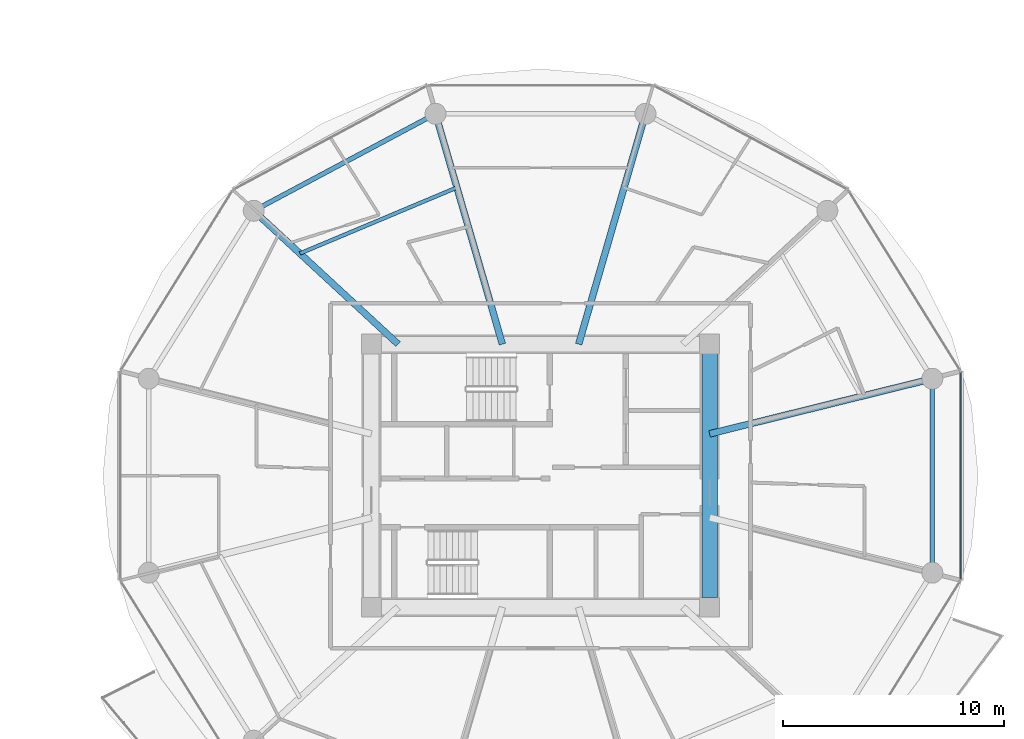
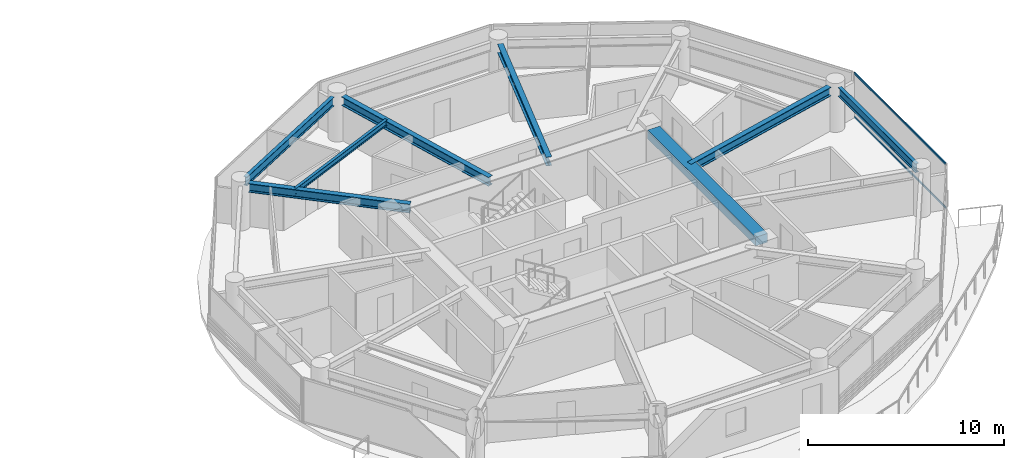
# One storey, part 12 of 25: 8 beams, 2 members, 1 element without a shape of its own.
"""IFC4 building model written with IfcOpenShell, lengths in metres."""

from ifc_helpers import new_model, si_unit, direction, frame, origin, origin_2d, place, context, subcontext, project, spatial, rectangle, i_section, extrude, source, transform, mapped, material, layer, layer_set, material_profile, profile_set, type_object, type_shapes, element, aggregate, save


model = new_model("IFC4")

# Units and contexts
model_context = context("Model", 3, precision=1e-05, world=origin(), true_north=direction((0.0, 1.0)))
body_context = subcontext(model_context, "Body", "Model", "MODEL_VIEW")
ifc_project = project(units=[si_unit("LENGTHUNIT", "METRE"), si_unit("AREAUNIT", "SQUARE_METRE"), si_unit("VOLUMEUNIT", "CUBIC_METRE"), si_unit("PLANEANGLEUNIT", "RADIAN"), si_unit("MASSUNIT", "GRAM", prefix="KILO")], contexts=[model_context])

# Site, building, storey
site_placement = place(None, origin())
site = spatial("IfcSite", under=ifc_project, at=site_placement, CompositionType="ELEMENT")
building_placement = place(site_placement, origin())
building = spatial("IfcBuilding", under=site, at=building_placement, Name="Norrkilde Senior Care Towers", CompositionType="ELEMENT")
storey_placement = place(building_placement, frame((0.0, 0.0, 27.699951171875)))
storey = spatial("IfcBuildingStorey", under=building, at=storey_placement, Name="L07", CompositionType="ELEMENT", Elevation=27.699951171875)

# Beams
ifc_material_1 = material(Name="Concrete C60/75", Category="concrete")
ifc_material_profile_1 = material_profile(ifc_material_1, rectangle(XDim=0.699951171875, YDim=0.550048828125, at=origin_2d()), Name="RC BM 700x550")
ifc_profile_set_1 = profile_set([ifc_material_profile_1], Name="Concrete C60/75")
beam_type_1 = type_object("IfcBeamType", Name="Core Portal Coupling Beam 700x550", PredefinedType="USERDEFINED", material=ifc_profile_set_1)
shared_shape_1 = source(origin(), body_context, "Body", "SweptSolid", [
    extrude(rectangle(XDim=0.699951171875, YDim=0.550048828125, at=origin_2d()), origin(), (0.0, 0.0, 1.0), 11.0400390625),
])
type_shapes(beam_type_1, [shared_shape_1])
beam_1_placement = place(storey_placement, frame((35.64990234375, -5.52001953125, 2.51513671875), z_axis=(0.0, 1.0, 0.0), x_axis=(-1.0, 0.0, 0.0)))
element("IfcBeam", 1, at=beam_1_placement, inside=storey, type_object=beam_type_1, Name="L07 Core E E Coupling Girder", ObjectType="GIRDER", PredefinedType="USERDEFINED", context=body_context, shape_type="MappedRepresentation", body=[
    mapped(shared_shape_1, transform((0.0, 0.0, 0.0), x_axis=(1.0, 0.0, 0.0), y_axis=(0.0, 1.0, 0.0), z_axis=(0.0, 0.0, 1.0), scale=1.0)),
])
ifc_material_2 = material(Name="Steel S355", Category="steel")
ifc_material_profile_2 = material_profile(ifc_material_2, i_section(OverallWidth=0.300048828125, OverallDepth=0.550048828125, WebThickness=0.014892578125, FlangeThickness=0.029052734375, FilletRadius=0.027099609375, at=origin_2d()), Name="HEB 550")
ifc_profile_set_2 = profile_set([ifc_material_profile_2], Name="Steel S355")
beam_type_2 = type_object("IfcBeamType", Name="Radial Floor Beam Z1 HEB550", PredefinedType="BEAM", material=ifc_profile_set_2)
shared_shape_2 = source(origin(), body_context, "Body", "SweptSolid", [
    extrude(i_section(OverallWidth=0.300048828125, OverallDepth=0.550048828125, WebThickness=0.014892578125, FlangeThickness=0.029052734375, FilletRadius=0.027099609375, at=origin_2d()), origin(), (0.0, 0.0, 1.0), 9.94384765625),
])
beam_2_placement = place(storey_placement, frame((35.64990234375, 1.893310546875, 2.51513671875), z_axis=(0.970707425182, 0.240264634718, 0.0), x_axis=(-0.240264634718, 0.970707425182, 0.0)))
element("IfcBeam", 2, at=beam_2_placement, inside=storey, type_object=beam_type_2, Name="L07 Drum E Radial Floor Beam 01", PredefinedType="BEAM", context=body_context, shape_type="MappedRepresentation", body=[
    mapped(shared_shape_2, transform((0.0, 0.0, 0.0), x_axis=(1.0, 0.0, 0.0), y_axis=(0.0, 1.0, 0.0), z_axis=(0.0, 0.0, 1.0), scale=1.0)),
])
ifc_material_profile_3 = material_profile(ifc_material_2, i_section(OverallWidth=0.2099609375, OverallDepth=0.550048828125, WebThickness=0.010986328125, FlangeThickness=0.01708984375, FilletRadius=0.02392578125, at=origin_2d()), Name="IPE 550")
ifc_profile_set_3 = profile_set([ifc_material_profile_3], Name="Steel S355")
beam_type_3 = type_object("IfcBeamType", Name="Perimeter Ring Spandrel Z1 IPE550", PredefinedType="SPANDREL", material=ifc_profile_set_3)
shared_shape_3 = source(origin(), body_context, "Body", "SweptSolid", [
    extrude(i_section(OverallWidth=0.2099609375, OverallDepth=0.550048828125, WebThickness=0.010986328125, FlangeThickness=0.01708984375, FilletRadius=0.02392578125, at=origin_2d()), origin(), (0.0, 0.0, 1.0), 8.452880859375),
])
beam_3_placement = place(storey_placement, frame((22.866943359375, 16.167724609375, 2.51513671875), z_axis=(-0.882368931134, -0.470558252898, 0.0), x_axis=(0.470558252898, -0.882368931134, 0.0)))
element("IfcBeam", 3, at=beam_3_placement, inside=storey, type_object=beam_type_3, Name="L07 Drum E Perimeter Spandrel 04", PredefinedType="SPANDREL", context=body_context, shape_type="MappedRepresentation", body=[
    mapped(shared_shape_3, transform((0.0, 0.0, 0.0), x_axis=(1.0, 0.0, 0.0), y_axis=(0.0, 1.0, 0.0), z_axis=(0.0, 0.0, 1.0), scale=1.0)),
])
shared_shape_4 = source(origin(), body_context, "Body", "SweptSolid", [
    extrude(i_section(OverallWidth=0.300048828125, OverallDepth=0.550048828125, WebThickness=0.014892578125, FlangeThickness=0.029052734375, FilletRadius=0.027099609375, at=origin_2d()), origin(), (0.0, 0.0, 1.0), 8.459716796875),
])
beam_4_placement = place(storey_placement, frame((21.55859375, 5.949951171875, 2.51513671875), z_axis=(-0.734573269108, 0.678529374686, 0.0), x_axis=(-0.678529374686, -0.734573269108, 0.0)))
element("IfcBeam", 4, at=beam_4_placement, inside=storey, type_object=beam_type_2, Name="L07 Drum E Radial Floor Beam 05", PredefinedType="BEAM", context=body_context, shape_type="MappedRepresentation", body=[
    mapped(shared_shape_4, transform((0.0, 0.0, 0.0), x_axis=(1.0, 0.0, 0.0), y_axis=(0.0, 1.0, 0.0), z_axis=(0.0, 0.0, 1.0), scale=1.0)),
])
shared_shape_5 = source(origin(), body_context, "Body", "SweptSolid", [
    extrude(i_section(OverallWidth=0.300048828125, OverallDepth=0.550048828125, WebThickness=0.014892578125, FlangeThickness=0.029052734375, FilletRadius=0.027099609375, at=origin_2d()), origin(), (0.0, 0.0, 1.0), 10.4169921875),
])
type_shapes(beam_type_2, [shared_shape_2, shared_shape_4, shared_shape_5])
for number, where, z_axis, x_axis, name in (
    (5, (29.72607421875, 5.949951171875, 2.51513671875), (0.278591250785, 0.960409764104, 0.0), (-0.960409764104, 0.278591250785, 0.0), "L07 Drum E Radial Floor Beam 03"),
    (6, (26.27392578125, 5.949951171875, 2.51513671875), (-0.278591250785, 0.960409764104, 0.0), (-0.960409764104, -0.278591250785, 0.0), "L07 Drum E Radial Floor Beam 04"),
):
    element("IfcBeam", number, at=place(storey_placement, frame(where, z_axis=z_axis, x_axis=x_axis)), inside=storey, type_object=beam_type_2, Name=name, PredefinedType="BEAM", context=body_context, shape_type="MappedRepresentation", body=[
        mapped(shared_shape_5, transform((0.0, 0.0, 0.0), x_axis=(1.0, 0.0, 0.0), y_axis=(0.0, 1.0, 0.0), z_axis=(0.0, 0.0, 1.0), scale=1.0)),
    ])
shared_shape_6 = source(origin(), body_context, "Body", "SweptSolid", [
    extrude(i_section(OverallWidth=0.2099609375, OverallDepth=0.550048828125, WebThickness=0.010986328125, FlangeThickness=0.01708984375, FilletRadius=0.02392578125, at=origin_2d()), origin(), (0.0, 0.0, 1.0), 7.90380859375),
])
type_shapes(beam_type_3, [shared_shape_3, shared_shape_6])
beam_5_placement = place(storey_placement, frame((45.724853515625, -3.951904296875, 2.51513671875), z_axis=(0.0, 1.0, 0.0), x_axis=(-1.0, 0.0, 0.0)))
element("IfcBeam", 7, at=beam_5_placement, inside=storey, type_object=beam_type_3, Name="L07 Drum E Perimeter Spandrel 12", PredefinedType="SPANDREL", context=body_context, shape_type="MappedRepresentation", body=[
    mapped(shared_shape_6, transform((0.0, 0.0, 0.0), x_axis=(1.0, 0.0, 0.0), y_axis=(0.0, 1.0, 0.0), z_axis=(0.0, 0.0, 1.0), scale=1.0)),
])
ifc_material_profile_4 = material_profile(ifc_material_2, i_section(OverallWidth=0.169921875, OverallDepth=0.360107421875, WebThickness=0.008056640625, FlangeThickness=0.0126953125, FilletRadius=0.01806640625, at=origin_2d()), Name="IPE 360")
ifc_profile_set_4 = profile_set([ifc_material_profile_4], Name="Steel S355")
beam_type_4 = type_object("IfcBeamType", Name="Secondary Floor Joist IPE360", PredefinedType="JOIST", material=ifc_profile_set_4)
shared_shape_7 = source(origin(), body_context, "Body", "SweptSolid", [
    extrude(i_section(OverallWidth=0.169921875, OverallDepth=0.360107421875, WebThickness=0.008056640625, FlangeThickness=0.0126953125, FilletRadius=0.01806640625, at=origin_2d()), origin(), (0.0, 0.0, 1.0), 7.703857421875),
])
type_shapes(beam_type_4, [shared_shape_7])
beam_6_placement = place(storey_placement, frame((24.21826171875, 13.037353515625, 2.610107421875), z_axis=(-0.921982784465, -0.387230868023, 0.0), x_axis=(0.387230868023, -0.921982784465, 0.0)))
element("IfcBeam", 8, at=beam_6_placement, inside=storey, type_object=beam_type_4, Name="L07 Drum E Secondary Floor Joist 2", PredefinedType="JOIST", context=body_context, shape_type="MappedRepresentation", body=[
    mapped(shared_shape_7, transform((0.0, 0.0, 0.0), x_axis=(1.0, 0.0, 0.0), y_axis=(0.0, 1.0, 0.0), z_axis=(0.0, 0.0, 1.0), scale=1.0)),
])

# Curtain wall, members
ifc_material_3 = material(Name="Triple Low-E Insulated Glazing", Category="glass")
ifc_layer = layer(ifc_material_3, 0.199951171875)
ifc_layer_set = layer_set([ifc_layer], Name="Triple Low-E Insulated Glazing")
curtain_wall_type = type_object("IfcCurtainWallType", Name="CW2 Zone 1 Memory Care Curtain Wall", PredefinedType="NOTDEFINED", material=ifc_layer_set)
curtain_wall_placement = place(storey_placement, origin())
curtain_wall = element("IfcCurtainWall", 9, at=curtain_wall_placement, inside=storey, type_object=curtain_wall_type, Name="L07 Drum E Curtain Wall 11", PredefinedType="NOTDEFINED")
ifc_material_4 = material(Name="Anodised Aluminium", Category="aluminium")
ifc_material_profile_5 = material_profile(ifc_material_4, rectangle(XDim=0.06005859375, YDim=0.1201171875, at=origin_2d()), Name="ALU TRAN 60x120")
ifc_profile_set_5 = profile_set([ifc_material_profile_5], Name="Anodised Aluminium")
member_type = type_object("IfcMemberType", Name="Curtain Wall Transom Typical 60x120", PredefinedType="USERDEFINED", material=ifc_profile_set_5)
shared_shape_8 = source(origin(), body_context, "Body", "SweptSolid", [
    extrude(rectangle(XDim=0.06005859375, YDim=0.1201171875, at=origin_2d()), origin(), (0.0, 0.0, 1.0), 9.33251953125),
])
type_shapes(member_type, [shared_shape_8])
member_1_placement = place(storey_placement, frame((47.009521484375, 4.666259765625, 0.030029296875), z_axis=(0.0, -1.0, 0.0), x_axis=(1.0, 0.0, 0.0)))
member_1 = element("IfcMember", 10, at=member_1_placement, type_object=member_type, Name="CW-2 transom 1.1", ObjectType="TRANSOM", PredefinedType="USERDEFINED", context=body_context, shape_type="MappedRepresentation", body=[
    mapped(shared_shape_8, transform((0.0, 0.0, 0.0), x_axis=(1.0, 0.0, 0.0), y_axis=(0.0, 1.0, 0.0), z_axis=(0.0, 0.0, 1.0), scale=1.0)),
])
member_2_placement = place(storey_placement, frame((47.009521484375, 4.666259765625, 2.760009765625), z_axis=(0.0, -1.0, 0.0), x_axis=(1.0, 0.0, 0.0)))
member_2 = element("IfcMember", 11, at=member_2_placement, type_object=member_type, Name="CW-2 transom 1.2", ObjectType="TRANSOM", PredefinedType="USERDEFINED", context=body_context, shape_type="MappedRepresentation", body=[
    mapped(shared_shape_8, transform((0.0, 0.0, 0.0), x_axis=(1.0, 0.0, 0.0), y_axis=(0.0, 1.0, 0.0), z_axis=(0.0, 0.0, 1.0), scale=1.0)),
])
aggregate(curtain_wall, [member_1, member_2])

save(model, "model.ifc")
